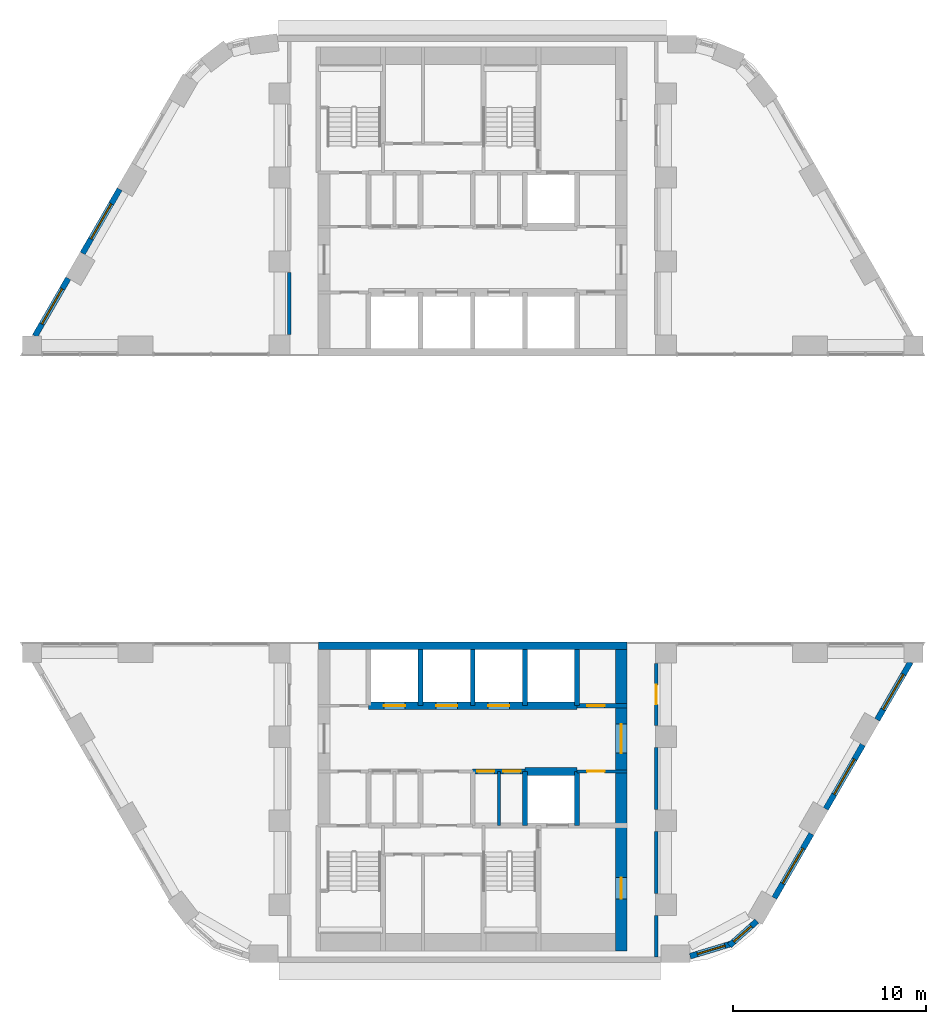
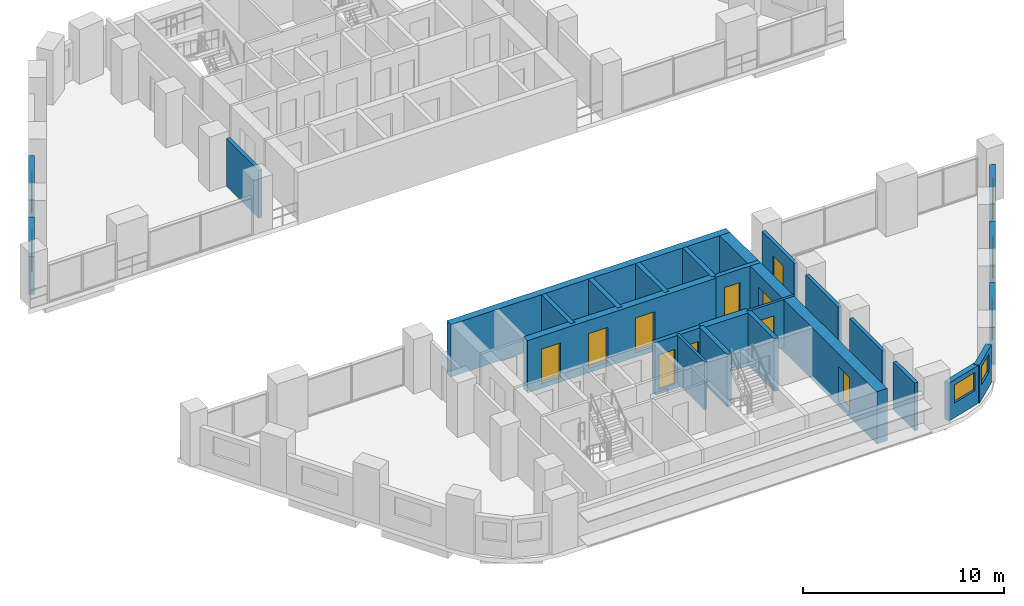
# One storey, part 6 of 11: 26 walls, 10 doors, 7 windows, 17 openings.
"""IFC4 building model written with IfcOpenShell, lengths in metres."""

from ifc_helpers import new_model, si_unit, direction, frame, frame_2d, origin, place, context, subcontext, project, spatial, rectangle, extrude, material, layer, layer_set, type_object, element, fill, save


model = new_model("IFC4")

# Units and contexts
model_context = context("Model", 3, precision=1e-05, world=origin(), true_north=direction((0.0, 1.0)))
body_context = subcontext(model_context, "Body", "Model", "MODEL_VIEW")
ifc_project = project(units=[si_unit("LENGTHUNIT", "METRE"), si_unit("AREAUNIT", "SQUARE_METRE"), si_unit("VOLUMEUNIT", "CUBIC_METRE"), si_unit("PLANEANGLEUNIT", "RADIAN"), si_unit("MASSUNIT", "GRAM", prefix="KILO")], contexts=[model_context])

# Site, building, storey
site_placement = place(None, origin())
site = spatial("IfcSite", under=ifc_project, at=site_placement, CompositionType="ELEMENT")
building_placement = place(site_placement, origin())
building = spatial("IfcBuilding", under=site, at=building_placement, Name="Nakaniwa Court", CompositionType="ELEMENT")
storey_placement = place(building_placement, frame((0.0, 0.0, 34.800048828125)))
storey = spatial("IfcBuildingStorey", under=building, at=storey_placement, Name="L08", CompositionType="ELEMENT", Elevation=34.800048828125)

# Walls
ifc_material_1 = material(Name="Acoustic double stud partition")
ifc_layer_1 = layer(ifc_material_1, 0.199951171875)
ifc_layer_set_1 = layer_set([ifc_layer_1], Name="Acoustic double stud partition")
wall_type_1 = type_object("IfcWallType", Name="Acoustic double stud partition 200", PredefinedType="PARTITIONING", material=ifc_layer_set_1)
wall_1_placement = place(storey_placement, frame((89.5, 56.300048828125, 0.0), z_axis=(0.0, 0.0, 1.0), x_axis=(0.0, 1.0, 0.0)))
element("IfcWall", 1, at=wall_1_placement, inside=storey, type_object=wall_type_1, Name="Partition PW-071", PredefinedType="PARTITIONING", context=body_context, shape_type="SweptSolid", body=[
    extrude(rectangle(XDim=2.133056640625, YDim=0.199951171875, at=frame_2d((1.06640625, 0.0))), origin(), (0.0, 0.0, 1.0), 2.89990234375),
])
for number, where, z_axis, x_axis, name in (
    (2, (89.5, 59.56689453125, 0.0), (0.0, 0.0, 1.0), (0.0, 1.0, 0.0), "Partition PW-072"),
    (3, (89.5, 63.9169921875, 0.0), (0.0, 0.0, 1.0), (0.0, 1.0, 0.0), "Partition PW-073"),
):
    element("IfcWall", number, at=place(storey_placement, frame(where, z_axis=z_axis, x_axis=x_axis)), inside=storey, type_object=wall_type_1, Name=name, PredefinedType="PARTITIONING", context=body_context, shape_type="SweptSolid", body=[
        extrude(rectangle(XDim=3.216064453125, YDim=0.199951171875, at=frame_2d((1.60791015625, 0.0))), origin(), (0.0, 0.0, 1.0), 2.89990234375),
    ])

# Wall, opening, door
wall_2_placement = place(storey_placement, frame((89.5, 71.48291015625, 0.0), z_axis=(0.0, 0.0, 1.0), x_axis=(0.0, -1.0, 0.0)))
wall_2 = element("IfcWall", 4, at=wall_2_placement, inside=storey, type_object=wall_type_1, Name="Partition PW-074", PredefinedType="PARTITIONING", context=body_context, shape_type="SweptSolid", body=[
    extrude(rectangle(XDim=3.2158203125, YDim=0.199951171875, at=frame_2d((1.60791015625, 0.0))), origin(), (0.0, 0.0, 1.0), 2.89990234375),
])
opening_1_placement = place(wall_2_placement, frame((1.10791015625, 0.0, 0.0)))
opening_1 = element("IfcOpeningElement", 5, at=opening_1_placement, cuts=wall_2, Name="Opening D-02-01", PredefinedType="OPENING", context=body_context, shape_type="SweptSolid", body=[
    extrude(rectangle(XDim=1.0, YDim=2.10009765625, at=frame_2d((0.5, 1.050048828125))), frame((0.0, 0.10986328125, 0.0), z_axis=(0.0, -1.0, 0.0), x_axis=(1.0, 0.0, 0.0)), (0.0, 0.0, 1.0), 0.219970703125),
])
ifc_material_2 = material(Name="Solid core timber door set, black veneer", Category="wood")
door_type_1 = type_object("IfcDoorType", Name="Internal door 1000", OperationType="NOTDEFINED", PredefinedType="DOOR", material=ifc_material_2)
door_1_placement = place(opening_1_placement, origin())
door_1 = element("IfcDoor", 6, at=door_1_placement, inside=storey, type_object=door_type_1, Name="Door D-02-01 L08-029", OperationType="SINGLE_SWING_RIGHT", OverallHeight=2.10009765625, OverallWidth=1.0, PredefinedType="DOOR", context=body_context, shape_type="SweptSolid", body=[
    extrude(rectangle(XDim=1.0, YDim=2.10009765625, at=frame_2d((0.5, 1.050048828125))), frame((0.0, 0.02490234375, 0.0), z_axis=(0.0, -1.0, 0.0), x_axis=(1.0, 0.0, 0.0)), (0.0, 0.0, 1.0), 0.050048828125),
])
fill(opening_1, door_1)

# Wall
wall_3_placement = place(storey_placement, frame((70.5, 88.51708984375, 0.0), z_axis=(0.0, 0.0, 1.0), x_axis=(0.0, 1.0, 0.0)))
element("IfcWall", 7, at=wall_3_placement, inside=storey, type_object=wall_type_1, Name="Partition PW-083", PredefinedType="PARTITIONING", context=body_context, shape_type="SweptSolid", body=[
    extrude(rectangle(XDim=3.2158203125, YDim=0.199951171875, at=frame_2d((1.60791015625, 0.0))), origin(), (0.0, 0.0, 1.0), 2.89990234375),
])

# Wall, opening, window
ifc_material_3 = material(Name="Charcoal ceramic cladding")
ifc_layer_2 = layer(ifc_material_3, 0.02, Name="Ceramic cladding")
ifc_material_4 = material(Name="Ventilated air cavity")
ifc_layer_3 = layer(ifc_material_4, 0.04, ventilated=True, Name="Ventilated cavity")
ifc_material_5 = material(Name="Mineral wool insulation")
ifc_layer_4 = layer(ifc_material_5, 0.1, Name="Insulation")
ifc_material_6 = material(Name="Cement bonded sheathing board")
ifc_layer_5 = layer(ifc_material_6, 0.012, Name="Sheathing")
ifc_material_7 = material(Name="Cold-formed galvanised stud frame with mineral wool infill")
ifc_layer_6 = layer(ifc_material_7, 0.1, Name="Stud frame")
ifc_material_8 = material(Name="Fire-rated gypsum plasterboard lining")
ifc_layer_7 = layer(ifc_material_8, 0.028, Name="Lining")
ifc_layer_set_2 = layer_set([ifc_layer_2, ifc_layer_3, ifc_layer_4, ifc_layer_5, ifc_layer_6, ifc_layer_7], Name="Charcoal ceramic faced external wall system")
wall_type_2 = type_object("IfcWallType", Name="Black ceramic faced external wall 300", PredefinedType="SOLIDWALL", material=ifc_layer_set_2)
wall_4_placement = place(storey_placement, frame((98.2783203125, 63.958984375, 0.0), z_axis=(0.0, 0.0, 1.0), x_axis=(0.500001735503, 0.866024401789, 0.0)))
wall_4 = element("IfcWall", 8, at=wall_4_placement, inside=storey, type_object=wall_type_2, Name="L08 external wall 00", PredefinedType="SOLIDWALL", context=body_context, shape_type="SweptSolid", body=[
    extrude(rectangle(XDim=3.833984375, YDim=0.300048828125, at=frame_2d((1.9169921875, 0.0))), origin(), (0.0, 0.0, 1.0), 2.300048828125),
])
opening_2_placement = place(wall_4_placement, frame((0.866943359375, 0.0, 0.89990234375)))
opening_2 = element("IfcOpeningElement", 9, at=opening_2_placement, cuts=wall_4, Name="Opening W7.01", PredefinedType="OPENING", context=body_context, shape_type="SweptSolid", body=[
    extrude(rectangle(XDim=2.10009765625, YDim=1.10009765625, at=frame_2d((1.050048828125, 0.550048828125))), frame((0.0, 0.159912109375, 0.0), z_axis=(0.0, -1.0, 0.0), x_axis=(1.0, 0.0, 0.0)), (0.0, 0.0, 1.0), 0.320068359375),
])
ifc_material_9 = material(Name="Black anodised aluminium frame with dark low-E laminated double glazing", Category="aluminium")
window_type_1 = type_object("IfcWindowType", Name="Dark glass window 2100x1100 sill 900", PartitioningType="SINGLE_PANEL", PredefinedType="WINDOW", material=ifc_material_9)
window_1_placement = place(opening_2_placement, origin())
window_1 = element("IfcWindow", 10, at=window_1_placement, inside=storey, type_object=window_type_1, Name="L08 habitable room window 00-0", OverallHeight=1.10009765625, OverallWidth=2.10009765625, PartitioningType="SINGLE_PANEL", PredefinedType="WINDOW", context=body_context, shape_type="SweptSolid", body=[
    extrude(rectangle(XDim=2.10009765625, YDim=1.10009765625, at=frame_2d((1.050048828125, 0.550048828125))), frame((0.0, 0.030029296875, 0.0), z_axis=(0.0, -1.0, 0.0), x_axis=(1.0, 0.0, 0.0)), (0.0, 0.0, 1.0), 0.06005859375),
])
fill(opening_2, window_1)

wall_5_placement = place(storey_placement, frame((100.941162109375, 68.5712890625, 0.0), z_axis=(0.0, 0.0, 1.0), x_axis=(0.500035437112, 0.866004943191, 0.0)))
wall_5 = element("IfcWall", 11, at=wall_5_placement, inside=storey, type_object=wall_type_2, Name="L08 external wall 01", PredefinedType="SOLIDWALL", context=body_context, shape_type="SweptSolid", body=[
    extrude(rectangle(XDim=3.443603515625, YDim=0.300048828125, at=frame_2d((1.7216796875, 0.0))), origin(), (0.0, 0.0, 1.0), 2.300048828125),
])
opening_3_placement = place(wall_5_placement, frame((0.62109375, 0.0, 0.89990234375)))
opening_3 = element("IfcOpeningElement", 12, at=opening_3_placement, cuts=wall_5, Name="Opening W7.02", PredefinedType="OPENING", context=body_context, shape_type="SweptSolid", body=[
    extrude(rectangle(XDim=2.10009765625, YDim=1.10009765625, at=frame_2d((1.050048828125, 0.550048828125))), frame((0.0, 0.159912109375, 0.0), z_axis=(0.0, -1.0, 0.0), x_axis=(1.0, 0.0, 0.0)), (0.0, 0.0, 1.0), 0.320068359375),
])
window_2_placement = place(opening_3_placement, origin())
window_2 = element("IfcWindow", 13, at=window_2_placement, inside=storey, type_object=window_type_1, Name="L08 habitable room window 01-0", OverallHeight=1.10009765625, OverallWidth=2.10009765625, PartitioningType="SINGLE_PANEL", PredefinedType="WINDOW", context=body_context, shape_type="SweptSolid", body=[
    extrude(rectangle(XDim=2.10009765625, YDim=1.10009765625, at=frame_2d((1.050048828125, 0.550048828125))), frame((0.0, 0.030029296875, 0.0), z_axis=(0.0, -1.0, 0.0), x_axis=(1.0, 0.0, 0.0)), (0.0, 0.0, 1.0), 0.06005859375),
])
fill(opening_3, window_2)

wall_6_placement = place(storey_placement, frame((91.25341796875, 56.331298828125, 0.0), z_axis=(0.0, 0.0, 1.0), x_axis=(0.957433631901, 0.288653495569, 0.0)))
wall_6 = element("IfcWall", 14, at=wall_6_placement, inside=storey, type_object=wall_type_2, Name="L08 external wall 12", PredefinedType="SOLIDWALL", context=body_context, shape_type="SweptSolid", body=[
    extrude(rectangle(XDim=2.212646484375, YDim=0.300048828125, at=frame_2d((1.1064453125, 0.0))), origin(), (0.0, 0.0, 1.0), 2.300048828125),
])
opening_4_placement = place(wall_6_placement, frame((0.394287109375, 0.0, 0.89990234375)))
opening_4 = element("IfcOpeningElement", 15, at=opening_4_placement, cuts=wall_6, Name="Opening W5.08", PredefinedType="OPENING", context=body_context, shape_type="SweptSolid", body=[
    extrude(rectangle(XDim=1.5, YDim=1.10009765625, at=frame_2d((0.75, 0.550048828125))), frame((0.0, 0.159912109375, 0.0), z_axis=(0.0, -1.0, 0.0), x_axis=(1.0, 0.0, 0.0)), (0.0, 0.0, 1.0), 0.320068359375),
])
window_type_2 = type_object("IfcWindowType", Name="Dark glass window 1500x1100 sill 900", PartitioningType="SINGLE_PANEL", PredefinedType="WINDOW", material=ifc_material_9)
window_3_placement = place(opening_4_placement, origin())
window_3 = element("IfcWindow", 16, at=window_3_placement, inside=storey, type_object=window_type_2, Name="L08 habitable room window 12-0", OverallHeight=1.10009765625, OverallWidth=1.5, PartitioningType="SINGLE_PANEL", PredefinedType="WINDOW", context=body_context, shape_type="SweptSolid", body=[
    extrude(rectangle(XDim=1.5, YDim=1.10009765625, at=frame_2d((0.75, 0.550048828125))), frame((0.0, 0.030029296875, 0.0), z_axis=(0.0, -1.0, 0.0), x_axis=(1.0, 0.0, 0.0)), (0.0, 0.0, 1.0), 0.06005859375),
])
fill(opening_4, window_3)

wall_7_placement = place(storey_placement, frame((93.288818359375, 56.882568359375, 0.0), z_axis=(0.0, 0.0, 1.0), x_axis=(0.746941556212, 0.664889698825, 0.0)))
wall_7 = element("IfcWall", 17, at=wall_7_placement, inside=storey, type_object=wall_type_2, Name="L08 external wall 13", PredefinedType="SOLIDWALL", context=body_context, shape_type="SweptSolid", body=[
    extrude(rectangle(XDim=1.9013671875, YDim=0.300048828125, at=frame_2d((0.95068359375, 0.0))), origin(), (0.0, 0.0, 1.0), 2.300048828125),
])
opening_5_placement = place(wall_7_placement, frame((0.31005859375, 0.0, 0.89990234375)))
opening_5 = element("IfcOpeningElement", 18, at=opening_5_placement, cuts=wall_7, Name="Opening W6.09", PredefinedType="OPENING", context=body_context, shape_type="SweptSolid", body=[
    extrude(rectangle(XDim=1.199951171875, YDim=1.10009765625, at=frame_2d((0.60009765625, 0.550048828125))), frame((0.0, 0.159912109375, 0.0), z_axis=(0.0, -1.0, 0.0), x_axis=(1.0, 0.0, 0.0)), (0.0, 0.0, 1.0), 0.320068359375),
])
window_type_3 = type_object("IfcWindowType", Name="Dark glass window 1200x1100 sill 900", PartitioningType="SINGLE_PANEL", PredefinedType="WINDOW", material=ifc_material_9)
window_4_placement = place(opening_5_placement, origin())
window_4 = element("IfcWindow", 19, at=window_4_placement, inside=storey, type_object=window_type_3, Name="L08 habitable room window 13-0", OverallHeight=1.10009765625, OverallWidth=1.199951171875, PartitioningType="SINGLE_PANEL", PredefinedType="WINDOW", context=body_context, shape_type="SweptSolid", body=[
    extrude(rectangle(XDim=1.199951171875, YDim=1.10009765625, at=frame_2d((0.60009765625, 0.550048828125))), frame((0.0, 0.030029296875, 0.0), z_axis=(0.0, -1.0, 0.0), x_axis=(1.0, 0.0, 0.0)), (0.0, 0.0, 1.0), 0.06005859375),
])
fill(opening_5, window_4)

wall_8_placement = place(storey_placement, frame((95.615234375, 59.346435546875, 0.0), z_axis=(0.0, 0.0, 1.0), x_axis=(0.499974163209, 0.866040320149, 0.0)))
wall_8 = element("IfcWall", 20, at=wall_8_placement, inside=storey, type_object=wall_type_2, Name="L08 external wall 14", PredefinedType="SOLIDWALL", context=body_context, shape_type="SweptSolid", body=[
    extrude(rectangle(XDim=3.834228515625, YDim=0.300048828125, at=frame_2d((1.9169921875, 0.0))), origin(), (0.0, 0.0, 1.0), 2.300048828125),
])
opening_6_placement = place(wall_8_placement, frame((0.8671875, 0.0, 0.89990234375)))
opening_6 = element("IfcOpeningElement", 21, at=opening_6_placement, cuts=wall_8, Name="Opening W7.10", PredefinedType="OPENING", context=body_context, shape_type="SweptSolid", body=[
    extrude(rectangle(XDim=2.10009765625, YDim=1.10009765625, at=frame_2d((1.050048828125, 0.550048828125))), frame((0.0, 0.159912109375, 0.0), z_axis=(0.0, -1.0, 0.0), x_axis=(1.0, 0.0, 0.0)), (0.0, 0.0, 1.0), 0.320068359375),
])
window_5_placement = place(opening_6_placement, origin())
window_5 = element("IfcWindow", 22, at=window_5_placement, inside=storey, type_object=window_type_1, Name="L08 habitable room window 14-0", OverallHeight=1.10009765625, OverallWidth=2.10009765625, PartitioningType="SINGLE_PANEL", PredefinedType="WINDOW", context=body_context, shape_type="SweptSolid", body=[
    extrude(rectangle(XDim=2.10009765625, YDim=1.10009765625, at=frame_2d((1.050048828125, 0.550048828125))), frame((0.0, 0.030029296875, 0.0), z_axis=(0.0, -1.0, 0.0), x_axis=(1.0, 0.0, 0.0)), (0.0, 0.0, 1.0), 0.06005859375),
])
fill(opening_6, window_5)

wall_9_placement = place(storey_placement, frame((61.7216796875, 96.041015625, 0.0), z_axis=(0.0, 0.0, 1.0), x_axis=(-0.500001735503, -0.866024401789, 0.0)))
wall_9 = element("IfcWall", 23, at=wall_9_placement, inside=storey, type_object=wall_type_2, Name="L08 external wall 15", PredefinedType="SOLIDWALL", context=body_context, shape_type="SweptSolid", body=[
    extrude(rectangle(XDim=3.833984375, YDim=0.300048828125, at=frame_2d((1.9169921875, 0.0))), origin(), (0.0, 0.0, 1.0), 2.300048828125),
])
opening_7_placement = place(wall_9_placement, frame((0.866943359375, 0.0, 0.89990234375)))
opening_7 = element("IfcOpeningElement", 24, at=opening_7_placement, cuts=wall_9, Name="Opening W7.11", PredefinedType="OPENING", context=body_context, shape_type="SweptSolid", body=[
    extrude(rectangle(XDim=2.10009765625, YDim=1.10009765625, at=frame_2d((1.050048828125, 0.550048828125))), frame((0.0, 0.159912109375, 0.0), z_axis=(0.0, -1.0, 0.0), x_axis=(1.0, 0.0, 0.0)), (0.0, 0.0, 1.0), 0.320068359375),
])
window_6_placement = place(opening_7_placement, origin())
window_6 = element("IfcWindow", 25, at=window_6_placement, inside=storey, type_object=window_type_1, Name="L08 habitable room window 15-0", OverallHeight=1.10009765625, OverallWidth=2.10009765625, PartitioningType="SINGLE_PANEL", PredefinedType="WINDOW", context=body_context, shape_type="SweptSolid", body=[
    extrude(rectangle(XDim=2.10009765625, YDim=1.10009765625, at=frame_2d((1.050048828125, 0.550048828125))), frame((0.0, 0.030029296875, 0.0), z_axis=(0.0, -1.0, 0.0), x_axis=(1.0, 0.0, 0.0)), (0.0, 0.0, 1.0), 0.06005859375),
])
fill(opening_7, window_6)

wall_10_placement = place(storey_placement, frame((59.058837890625, 91.4287109375, 0.0), z_axis=(0.0, 0.0, 1.0), x_axis=(-0.500035437112, -0.866004943191, 0.0)))
wall_10 = element("IfcWall", 26, at=wall_10_placement, inside=storey, type_object=wall_type_2, Name="L08 external wall 16", PredefinedType="SOLIDWALL", context=body_context, shape_type="SweptSolid", body=[
    extrude(rectangle(XDim=3.443603515625, YDim=0.300048828125, at=frame_2d((1.7216796875, 0.0))), origin(), (0.0, 0.0, 1.0), 2.300048828125),
])
opening_8_placement = place(wall_10_placement, frame((0.62109375, 0.0, 0.89990234375)))
opening_8 = element("IfcOpeningElement", 27, at=opening_8_placement, cuts=wall_10, Name="Opening W7.12", PredefinedType="OPENING", context=body_context, shape_type="SweptSolid", body=[
    extrude(rectangle(XDim=2.10009765625, YDim=1.10009765625, at=frame_2d((1.050048828125, 0.550048828125))), frame((0.0, 0.159912109375, 0.0), z_axis=(0.0, -1.0, 0.0), x_axis=(1.0, 0.0, 0.0)), (0.0, 0.0, 1.0), 0.320068359375),
])
window_7_placement = place(opening_8_placement, origin())
window_7 = element("IfcWindow", 28, at=window_7_placement, inside=storey, type_object=window_type_1, Name="L08 habitable room window 16-0", OverallHeight=1.10009765625, OverallWidth=2.10009765625, PartitioningType="SINGLE_PANEL", PredefinedType="WINDOW", context=body_context, shape_type="SweptSolid", body=[
    extrude(rectangle(XDim=2.10009765625, YDim=1.10009765625, at=frame_2d((1.050048828125, 0.550048828125))), frame((0.0, 0.030029296875, 0.0), z_axis=(0.0, -1.0, 0.0), x_axis=(1.0, 0.0, 0.0)), (0.0, 0.0, 1.0), 0.06005859375),
])
fill(opening_8, window_7)

# Wall, opening, door
ifc_material_10 = material(Name="Blockwork partition", Category="masonry")
ifc_layer_8 = layer(ifc_material_10, 0.14990234375)
ifc_layer_set_3 = layer_set([ifc_layer_8], Name="Blockwork partition")
wall_type_3 = type_object("IfcWallType", Name="Blockwork partition 150", PredefinedType="PARTITIONING", material=ifc_layer_set_3)
wall_11_placement = place(storey_placement, frame((88.0, 65.89990234375, 0.0), z_axis=(0.0, 0.0, 1.0), x_axis=(-1.0, 0.0, 0.0)))
wall_11 = element("IfcWall", 29, at=wall_11_placement, inside=storey, type_object=wall_type_3, Name="Partition PW-053", PredefinedType="PARTITIONING", context=body_context, shape_type="SweptSolid", body=[
    extrude(rectangle(XDim=2.60302734375, YDim=0.14990234375, at=frame_2d((1.301513671875, 0.0))), origin(), (0.0, 0.0, 1.0), 2.89990234375),
])
opening_9_placement = place(wall_11_placement, frame((1.175048828125, 0.0, 0.0)))
opening_9 = element("IfcOpeningElement", 30, at=opening_9_placement, cuts=wall_11, Name="Opening D-05-16", PredefinedType="OPENING", context=body_context, shape_type="SweptSolid", body=[
    extrude(rectangle(XDim=0.89990234375, YDim=2.10009765625, at=frame_2d((0.449951171875, 1.050048828125))), frame((0.0, 0.0849609375, 0.0), z_axis=(0.0, -1.0, 0.0), x_axis=(1.0, 0.0, 0.0)), (0.0, 0.0, 1.0), 0.169921875),
])
ifc_material_11 = material(Name="Fire rated steel door set", Category="steel")
door_type_2 = type_object("IfcDoorType", Name="Service room door 900", OperationType="NOTDEFINED", PredefinedType="DOOR", material=ifc_material_11)
door_2_placement = place(opening_9_placement, origin())
door_2 = element("IfcDoor", 31, at=door_2_placement, inside=storey, type_object=door_type_2, Name="Door D-05-16 L08-023", OperationType="SINGLE_SWING_RIGHT", OverallHeight=2.10009765625, OverallWidth=0.89990234375, PredefinedType="DOOR", context=body_context, shape_type="SweptSolid", body=[
    extrude(rectangle(XDim=0.89990234375, YDim=2.10009765625, at=frame_2d((0.449951171875, 1.050048828125))), frame((0.0, 0.02490234375, 0.0), z_axis=(0.0, -1.0, 0.0), x_axis=(1.0, 0.0, 0.0)), (0.0, 0.0, 1.0), 0.050048828125),
])
fill(opening_9, door_2)

# Wall
wall_12_placement = place(storey_placement, frame((81.35009765625, 63.10009765625, 0.0), z_axis=(0.0, 0.0, 1.0), x_axis=(0.0, 1.0, 0.0)))
element("IfcWall", 32, at=wall_12_placement, inside=storey, type_object=wall_type_3, Name="Partition PW-062", PredefinedType="PARTITIONING", context=body_context, shape_type="SweptSolid", body=[
    extrude(rectangle(XDim=2.7998046875, YDim=0.14990234375, at=frame_2d((1.39990234375, 0.0))), origin(), (0.0, 0.0, 1.0), 2.89990234375),
])

# Wall, openings, doors
ifc_material_12 = material(Name="Concrete C100/115", Category="concrete")
ifc_layer_9 = layer(ifc_material_12, 0.60009765625)
ifc_layer_set_4 = layer_set([ifc_layer_9], Name="Concrete C100/115")
wall_type_4 = type_object("IfcWallType", Name="Concrete core side wall 600 C100", PredefinedType="SHEAR", material=ifc_layer_set_4)
wall_13_placement = place(storey_placement, frame((87.699951171875, 72.199951171875, -0.275146484375), z_axis=(0.0, 0.0, 1.0), x_axis=(0.0, -1.0, 0.0)))
wall_13 = element("IfcWall", 33, at=wall_13_placement, inside=storey, type_object=wall_type_4, Name="Core wall SW-50", PredefinedType="SHEAR", context=body_context, shape_type="SweptSolid", body=[
    extrude(rectangle(XDim=15.599853515625, YDim=0.60009765625, at=frame_2d((7.7998046875, 0.0))), origin(), (0.0, 0.0, 1.0), 3.175048828125),
])
opening_10_placement = place(wall_13_placement, frame((3.85009765625, 0.0, 0.27490234375)))
opening_10 = element("IfcOpeningElement", 34, at=opening_10_placement, cuts=wall_13, Name="Opening D-07-03", PredefinedType="OPENING", context=body_context, shape_type="SweptSolid", body=[
    extrude(rectangle(XDim=1.5, YDim=2.10009765625, at=frame_2d((0.75, 1.050048828125))), frame((0.0, 0.31005859375, 0.0), z_axis=(0.0, -1.0, 0.0), x_axis=(1.0, 0.0, 0.0)), (0.0, 0.0, 1.0), 0.6201171875),
])
opening_11_placement = place(wall_13_placement, frame((11.800048828125, 0.0, 0.27490234375)))
opening_11 = element("IfcOpeningElement", 35, at=opening_11_placement, cuts=wall_13, Name="Opening D-10-02", PredefinedType="OPENING", context=body_context, shape_type="SweptSolid", body=[
    extrude(rectangle(XDim=1.10009765625, YDim=2.10009765625, at=frame_2d((0.550048828125, 1.050048828125))), frame((0.0, 0.31005859375, 0.0), z_axis=(0.0, -1.0, 0.0), x_axis=(1.0, 0.0, 0.0)), (0.0, 0.0, 1.0), 0.6201171875),
])
door_type_3 = type_object("IfcDoorType", Name="Firefighting lobby door 1100", OperationType="NOTDEFINED", PredefinedType="DOOR", material=ifc_material_11)
door_3_placement = place(opening_11_placement, origin())
door_3 = element("IfcDoor", 36, at=door_3_placement, inside=storey, type_object=door_type_3, Name="Door D-10-02 L08-038", OperationType="SINGLE_SWING_LEFT", OverallHeight=2.10009765625, OverallWidth=1.10009765625, PredefinedType="DOOR", context=body_context, shape_type="SweptSolid", body=[
    extrude(rectangle(XDim=1.10009765625, YDim=2.10009765625, at=frame_2d((0.550048828125, 1.050048828125))), frame((0.0, 0.02490234375, 0.0), z_axis=(0.0, -1.0, 0.0), x_axis=(1.0, 0.0, 0.0)), (0.0, 0.0, 1.0), 0.050048828125),
])
fill(opening_11, door_3)
ifc_material_13 = material(Name="Glazed fire rated steel double door set", Category="steel")
door_type_4 = type_object("IfcDoorType", Name="Lobby double door 1500", OperationType="NOTDEFINED", PredefinedType="DOOR", material=ifc_material_13)
door_4_placement = place(opening_10_placement, origin())
door_4 = element("IfcDoor", 37, at=door_4_placement, inside=storey, type_object=door_type_4, Name="Door D-07-03 L08-036", OperationType="DOUBLE_DOOR_SINGLE_SWING", OverallHeight=2.10009765625, OverallWidth=1.5, PredefinedType="DOOR", context=body_context, shape_type="SweptSolid", body=[
    extrude(rectangle(XDim=1.5, YDim=2.10009765625, at=frame_2d((0.75, 1.050048828125))), frame((0.0, 0.02490234375, 0.0), z_axis=(0.0, -1.0, 0.0), x_axis=(1.0, 0.0, 0.0)), (0.0, 0.0, 1.0), 0.050048828125),
])
fill(opening_10, door_4)

ifc_layer_10 = layer(ifc_material_12, 0.39990234375)
ifc_layer_set_5 = layer_set([ifc_layer_10], Name="Concrete C100/115")
wall_type_5 = type_object("IfcWallType", Name="Concrete core spine wall 400 C100", PredefinedType="SHEAR", material=ifc_layer_set_5)
wall_14_placement = place(storey_placement, frame((74.60009765625, 69.300048828125, -0.275146484375), z_axis=(0.0, 0.0, 1.0), x_axis=(1.0, 0.0, 0.0)))
wall_14 = element("IfcWall", 38, at=wall_14_placement, inside=storey, type_object=wall_type_5, Name="Core wall SW-42", PredefinedType="SHEAR", context=body_context, shape_type="SweptSolid", body=[
    extrude(rectangle(XDim=10.7998046875, YDim=0.39990234375, at=frame_2d((5.39990234375, 0.0))), origin(), (0.0, 0.0, 1.0), 3.175048828125),
])
opening_12_placement = place(wall_14_placement, frame((0.800048828125, 0.0, 0.27490234375)))
opening_12 = element("IfcOpeningElement", 39, at=opening_12_placement, cuts=wall_14, Name="Opening LD05", PredefinedType="OPENING", context=body_context, shape_type="SweptSolid", body=[
    extrude(rectangle(XDim=1.10009765625, YDim=2.10009765625, at=frame_2d((0.550048828125, 1.050048828125))), frame((0.0, 0.2099609375, 0.0), z_axis=(0.0, -1.0, 0.0), x_axis=(1.0, 0.0, 0.0)), (0.0, 0.0, 1.0), 0.419921875),
])
opening_13_placement = place(wall_14_placement, frame((3.5, 0.0, 0.27490234375)))
opening_13 = element("IfcOpeningElement", 40, at=opening_13_placement, cuts=wall_14, Name="Opening LD06", PredefinedType="OPENING", context=body_context, shape_type="SweptSolid", body=[
    extrude(rectangle(XDim=1.10009765625, YDim=2.10009765625, at=frame_2d((0.550048828125, 1.050048828125))), frame((0.0, 0.2099609375, 0.0), z_axis=(0.0, -1.0, 0.0), x_axis=(1.0, 0.0, 0.0)), (0.0, 0.0, 1.0), 0.419921875),
])
opening_14_placement = place(wall_14_placement, frame((6.199951171875, 0.0, 0.27490234375)))
opening_14 = element("IfcOpeningElement", 41, at=opening_14_placement, cuts=wall_14, Name="Opening LD07", PredefinedType="OPENING", context=body_context, shape_type="SweptSolid", body=[
    extrude(rectangle(XDim=1.10009765625, YDim=2.10009765625, at=frame_2d((0.550048828125, 1.050048828125))), frame((0.0, 0.2099609375, 0.0), z_axis=(0.0, -1.0, 0.0), x_axis=(1.0, 0.0, 0.0)), (0.0, 0.0, 1.0), 0.419921875),
])
ifc_material_14 = material(Name="Stainless steel sliding lift landing door", Category="steel")
door_type_5 = type_object("IfcDoorType", Name="Lift landing door 1100", OperationType="NOTDEFINED", PredefinedType="DOOR", material=ifc_material_14)
door_5_placement = place(opening_12_placement, origin())
door_5 = element("IfcDoor", 42, at=door_5_placement, inside=storey, type_object=door_type_5, Name="Lift landing door LD05 L08-005", OperationType="SLIDING_TO_LEFT", OverallHeight=2.10009765625, OverallWidth=1.10009765625, PredefinedType="DOOR", context=body_context, shape_type="SweptSolid", body=[
    extrude(rectangle(XDim=1.10009765625, YDim=2.10009765625, at=frame_2d((0.550048828125, 1.050048828125))), frame((0.0, 0.02490234375, 0.0), z_axis=(0.0, -1.0, 0.0), x_axis=(1.0, 0.0, 0.0)), (0.0, 0.0, 1.0), 0.050048828125),
])
fill(opening_12, door_5)
door_6_placement = place(opening_13_placement, origin())
door_6 = element("IfcDoor", 43, at=door_6_placement, inside=storey, type_object=door_type_5, Name="Lift landing door LD06 L08-006", OperationType="SLIDING_TO_LEFT", OverallHeight=2.10009765625, OverallWidth=1.10009765625, PredefinedType="DOOR", context=body_context, shape_type="SweptSolid", body=[
    extrude(rectangle(XDim=1.10009765625, YDim=2.10009765625, at=frame_2d((0.550048828125, 1.050048828125))), frame((0.0, 0.02490234375, 0.0), z_axis=(0.0, -1.0, 0.0), x_axis=(1.0, 0.0, 0.0)), (0.0, 0.0, 1.0), 0.050048828125),
])
fill(opening_13, door_6)
door_7_placement = place(opening_14_placement, origin())
door_7 = element("IfcDoor", 44, at=door_7_placement, inside=storey, type_object=door_type_5, Name="Lift landing door LD07 L08-007", OperationType="SLIDING_TO_LEFT", OverallHeight=2.10009765625, OverallWidth=1.10009765625, PredefinedType="DOOR", context=body_context, shape_type="SweptSolid", body=[
    extrude(rectangle(XDim=1.10009765625, YDim=2.10009765625, at=frame_2d((0.550048828125, 1.050048828125))), frame((0.0, 0.02490234375, 0.0), z_axis=(0.0, -1.0, 0.0), x_axis=(1.0, 0.0, 0.0)), (0.0, 0.0, 1.0), 0.050048828125),
])
fill(opening_14, door_7)

# Walls
wall_15_placement = place(storey_placement, frame((82.697021484375, 65.89990234375, -0.275146484375), z_axis=(0.0, 0.0, 1.0), x_axis=(1.0, 0.0, 0.0)))
element("IfcWall", 45, at=wall_15_placement, inside=storey, type_object=wall_type_5, Name="Core wall SW-56", PredefinedType="SHEAR", context=body_context, shape_type="SweptSolid", body=[
    extrude(rectangle(XDim=2.7060546875, YDim=0.39990234375, at=frame_2d((1.35302734375, 0.0))), origin(), (0.0, 0.0, 1.0), 3.175048828125),
])
ifc_layer_11 = layer(ifc_material_12, 0.39990234375)
ifc_layer_set_6 = layer_set([ifc_layer_11], Name="Concrete C100/115")
wall_type_6 = type_object("IfcWallType", Name="Concrete core well wall 400 C100", PredefinedType="SHEAR", material=ifc_layer_set_6)
wall_16_placement = place(storey_placement, frame((72.00390625, 72.39990234375, -0.275146484375), z_axis=(0.0, 0.0, 1.0), x_axis=(1.0, 0.0, 0.0)))
element("IfcWall", 46, at=wall_16_placement, inside=storey, type_object=wall_type_6, Name="Core wall SW-89", PredefinedType="SHEAR", context=body_context, shape_type="SweptSolid", body=[
    extrude(rectangle(XDim=15.9921875, YDim=0.39990234375, at=frame_2d((7.99609375, 0.0))), origin(), (0.0, 0.0, 1.0), 3.175048828125),
])
ifc_layer_12 = layer(ifc_material_12, 0.25)
ifc_layer_set_7 = layer_set([ifc_layer_12], Name="Concrete C100/115")
wall_type_7 = type_object("IfcWallType", Name="Concrete shaft wall 250 C100", PredefinedType="SHEAR", material=ifc_layer_set_7)
for number, where, z_axis, x_axis, name in (
    (47, (77.300048828125, 69.300048828125, -0.275146484375), (0.0, 0.0, 1.0), (0.0, 1.0, 0.0), "Core wall SW-41"),
    (48, (80.0, 69.300048828125, -0.275146484375), (0.0, 0.0, 1.0), (0.0, 1.0, 0.0), "Core wall SW-44"),
):
    element("IfcWall", number, at=place(storey_placement, frame(where, z_axis=z_axis, x_axis=x_axis)), inside=storey, type_object=wall_type_7, Name=name, PredefinedType="SHEAR", context=body_context, shape_type="SweptSolid", body=[
        extrude(rectangle(XDim=2.89990234375, YDim=0.25, at=frame_2d((1.449951171875, 0.0))), origin(), (0.0, 0.0, 1.0), 3.175048828125),
    ])
wall_17_placement = place(storey_placement, frame((82.699951171875, 63.10009765625, -0.275146484375), z_axis=(0.0, 0.0, 1.0), x_axis=(0.0, 1.0, 0.0)))
element("IfcWall", 49, at=wall_17_placement, inside=storey, type_object=wall_type_7, Name="Core wall SW-45", PredefinedType="SHEAR", context=body_context, shape_type="SweptSolid", body=[
    extrude(rectangle(XDim=2.7998046875, YDim=0.25, at=frame_2d((1.39990234375, 0.0))), origin(), (0.0, 0.0, 1.0), 3.175048828125),
])
wall_18_placement = place(storey_placement, frame((82.699951171875, 69.300048828125, -0.275146484375), z_axis=(0.0, 0.0, 1.0), x_axis=(0.0, 1.0, 0.0)))
element("IfcWall", 50, at=wall_18_placement, inside=storey, type_object=wall_type_7, Name="Core wall SW-46", PredefinedType="SHEAR", context=body_context, shape_type="SweptSolid", body=[
    extrude(rectangle(XDim=2.89990234375, YDim=0.25, at=frame_2d((1.449951171875, 0.0))), origin(), (0.0, 0.0, 1.0), 3.175048828125),
])
wall_19_placement = place(storey_placement, frame((85.39990234375, 63.10009765625, -0.275146484375), z_axis=(0.0, 0.0, 1.0), x_axis=(0.0, 1.0, 0.0)))
element("IfcWall", 51, at=wall_19_placement, inside=storey, type_object=wall_type_7, Name="Core wall SW-47", PredefinedType="SHEAR", context=body_context, shape_type="SweptSolid", body=[
    extrude(rectangle(XDim=2.7998046875, YDim=0.25, at=frame_2d((1.39990234375, 0.0))), origin(), (0.0, 0.0, 1.0), 3.175048828125),
])
wall_20_placement = place(storey_placement, frame((85.39990234375, 69.300048828125, -0.275146484375), z_axis=(0.0, 0.0, 1.0), x_axis=(0.0, 1.0, 0.0)))
element("IfcWall", 52, at=wall_20_placement, inside=storey, type_object=wall_type_7, Name="Core wall SW-48", PredefinedType="SHEAR", context=body_context, shape_type="SweptSolid", body=[
    extrude(rectangle(XDim=2.89990234375, YDim=0.25, at=frame_2d((1.449951171875, 0.0))), origin(), (0.0, 0.0, 1.0), 3.175048828125),
])

# Wall, opening, door
wall_21_placement = place(storey_placement, frame((85.39990234375, 69.300048828125, -0.275146484375), z_axis=(0.0, 0.0, 1.0), x_axis=(1.0, 0.0, 0.0)))
wall_21 = element("IfcWall", 53, at=wall_21_placement, inside=storey, type_object=wall_type_7, Name="Core wall SW-49", PredefinedType="SHEAR", context=body_context, shape_type="SweptSolid", body=[
    extrude(rectangle(XDim=2.60009765625, YDim=0.25, at=frame_2d((1.300048828125, 0.0))), origin(), (0.0, 0.0, 1.0), 3.175048828125),
])
opening_15_placement = place(wall_21_placement, frame((0.52490234375, 0.0, 0.27490234375)))
opening_15 = element("IfcOpeningElement", 54, at=opening_15_placement, cuts=wall_21, Name="Opening D-05-11", PredefinedType="OPENING", context=body_context, shape_type="SweptSolid", body=[
    extrude(rectangle(XDim=0.89990234375, YDim=2.10009765625, at=frame_2d((0.449951171875, 1.050048828125))), frame((0.0, 0.135009765625, 0.0), z_axis=(0.0, -1.0, 0.0), x_axis=(1.0, 0.0, 0.0)), (0.0, 0.0, 1.0), 0.27001953125),
])
door_8_placement = place(opening_15_placement, origin())
door_8 = element("IfcDoor", 55, at=door_8_placement, inside=storey, type_object=door_type_2, Name="Door D-05-11 L08-016", OperationType="SINGLE_SWING_LEFT", OverallHeight=2.10009765625, OverallWidth=0.89990234375, PredefinedType="DOOR", context=body_context, shape_type="SweptSolid", body=[
    extrude(rectangle(XDim=0.89990234375, YDim=2.10009765625, at=frame_2d((0.449951171875, 1.050048828125))), frame((0.0, 0.02490234375, 0.0), z_axis=(0.0, -1.0, 0.0), x_axis=(1.0, 0.0, 0.0)), (0.0, 0.0, 1.0), 0.050048828125),
])
fill(opening_15, door_8)

# Wall, openings, doors
wall_22_placement = place(storey_placement, frame((82.702880859375, 65.89990234375, -0.275146484375), z_axis=(0.0, 0.0, 1.0), x_axis=(-1.0, 0.0, 0.0)))
wall_22 = element("IfcWall", 56, at=wall_22_placement, inside=storey, type_object=wall_type_7, Name="Core wall SW-55", PredefinedType="SHEAR", context=body_context, shape_type="SweptSolid", body=[
    extrude(rectangle(XDim=2.705810546875, YDim=0.25, at=frame_2d((1.35302734375, 0.0))), origin(), (0.0, 0.0, 1.0), 3.175048828125),
])
opening_16_placement = place(wall_22_placement, frame((1.577880859375, 0.0, 0.27490234375)))
opening_16 = element("IfcOpeningElement", 57, at=opening_16_placement, cuts=wall_22, Name="Opening D-05-14", PredefinedType="OPENING", context=body_context, shape_type="SweptSolid", body=[
    extrude(rectangle(XDim=0.89990234375, YDim=2.10009765625, at=frame_2d((0.449951171875, 1.050048828125))), frame((0.0, 0.135009765625, 0.0), z_axis=(0.0, -1.0, 0.0), x_axis=(1.0, 0.0, 0.0)), (0.0, 0.0, 1.0), 0.27001953125),
])
opening_17_placement = place(wall_22_placement, frame((0.22802734375, 0.0, 0.27490234375)))
opening_17 = element("IfcOpeningElement", 58, at=opening_17_placement, cuts=wall_22, Name="Opening D-05-15", PredefinedType="OPENING", context=body_context, shape_type="SweptSolid", body=[
    extrude(rectangle(XDim=0.89990234375, YDim=2.10009765625, at=frame_2d((0.449951171875, 1.050048828125))), frame((0.0, 0.135009765625, 0.0), z_axis=(0.0, -1.0, 0.0), x_axis=(1.0, 0.0, 0.0)), (0.0, 0.0, 1.0), 0.27001953125),
])
door_9_placement = place(opening_16_placement, origin())
door_9 = element("IfcDoor", 59, at=door_9_placement, inside=storey, type_object=door_type_2, Name="Door D-05-14 L08-021", OperationType="SINGLE_SWING_RIGHT", OverallHeight=2.10009765625, OverallWidth=0.89990234375, PredefinedType="DOOR", context=body_context, shape_type="SweptSolid", body=[
    extrude(rectangle(XDim=0.89990234375, YDim=2.10009765625, at=frame_2d((0.449951171875, 1.050048828125))), frame((0.0, 0.02490234375, 0.0), z_axis=(0.0, -1.0, 0.0), x_axis=(1.0, 0.0, 0.0)), (0.0, 0.0, 1.0), 0.050048828125),
])
fill(opening_16, door_9)
door_10_placement = place(opening_17_placement, origin())
door_10 = element("IfcDoor", 60, at=door_10_placement, inside=storey, type_object=door_type_2, Name="Door D-05-15 L08-022", OperationType="SINGLE_SWING_LEFT", OverallHeight=2.10009765625, OverallWidth=0.89990234375, PredefinedType="DOOR", context=body_context, shape_type="SweptSolid", body=[
    extrude(rectangle(XDim=0.89990234375, YDim=2.10009765625, at=frame_2d((0.449951171875, 1.050048828125))), frame((0.0, 0.02490234375, 0.0), z_axis=(0.0, -1.0, 0.0), x_axis=(1.0, 0.0, 0.0)), (0.0, 0.0, 1.0), 0.050048828125),
])
fill(opening_17, door_10)

save(model, "model.ifc")
